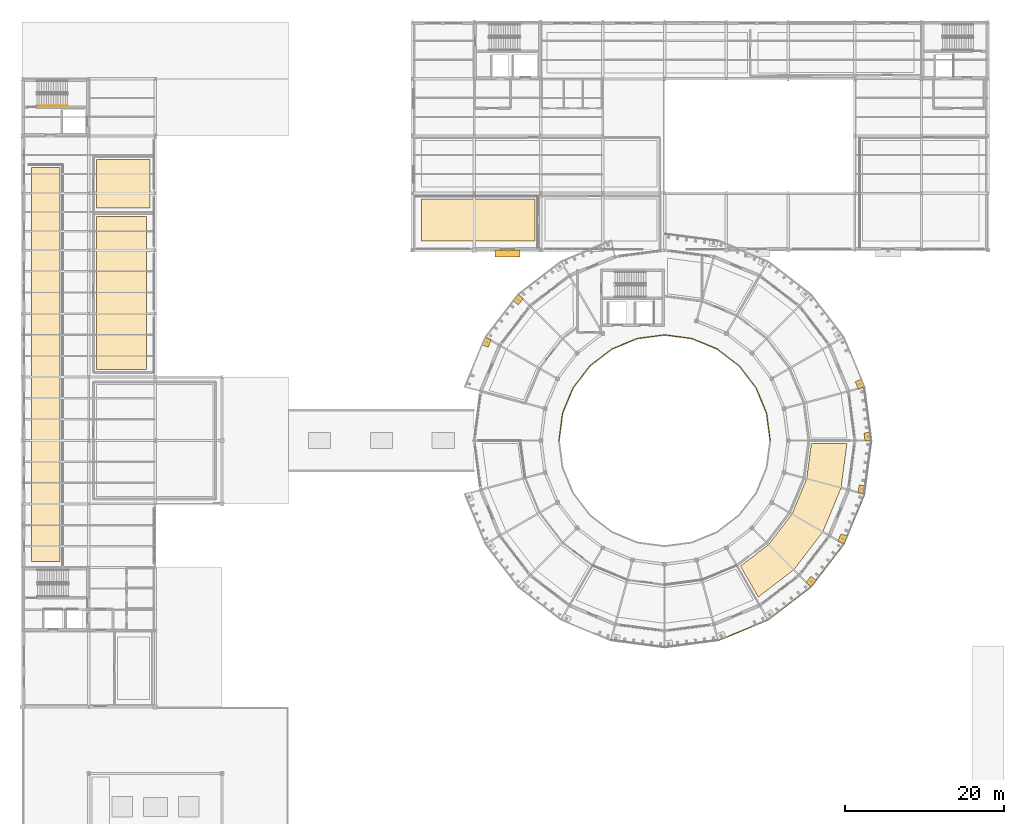
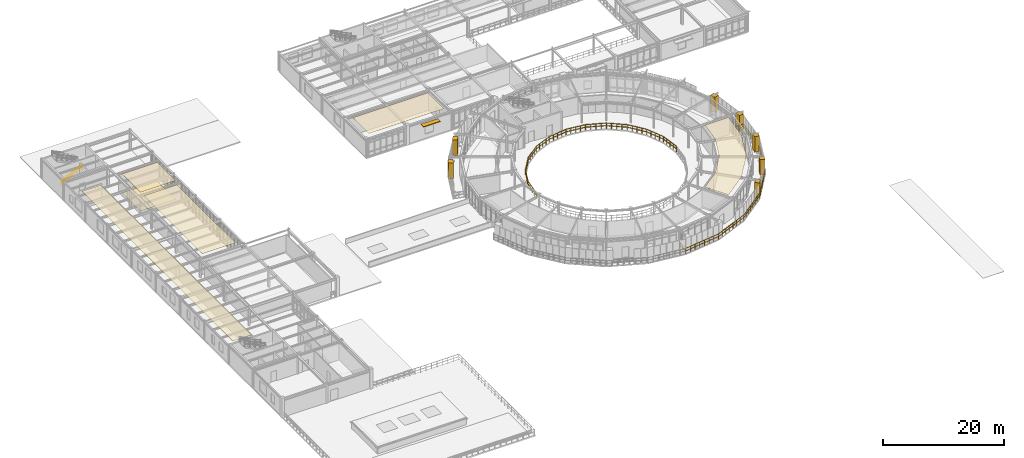
# One storey, part 64 of 70: 8 shading devices, 6 coverings, 3 railings.
"""IFC4 building model written with IfcOpenShell, lengths in metres."""

from ifc_helpers import new_model, si_unit, derived_unit, direction, frame, origin, origin_2d, place, context, subcontext, project, spatial, polyline, rectangle, circle, outline, extrude, material, layer, layer_set, type_object, element, save


model = new_model("IFC4")

# Units and contexts
model_context = context("Model", 3, precision=1e-05, world=origin(), true_north=direction((0.0, 1.0)))
body_context = subcontext(model_context, "Body", "Model", "MODEL_VIEW")
ifc_project = project(units=[si_unit("LENGTHUNIT", "METRE"), si_unit("AREAUNIT", "SQUARE_METRE"), si_unit("VOLUMEUNIT", "CUBIC_METRE"), si_unit("PLANEANGLEUNIT", "RADIAN"), si_unit("MASSUNIT", "GRAM", prefix="KILO"), derived_unit("THERMALTRANSMITTANCEUNIT", [(si_unit("POWERUNIT", "WATT"), 1), (si_unit("AREAUNIT", "SQUARE_METRE"), -1), (si_unit("THERMODYNAMICTEMPERATUREUNIT", "KELVIN"), -1)])], contexts=[model_context])

# Site, building, storey
site_placement = place(None, origin())
site = spatial("IfcSite", under=ifc_project, at=site_placement, CompositionType="ELEMENT")
building_placement = place(site_placement, origin())
building = spatial("IfcBuilding", under=site, at=building_placement, Name="Yasenodar Specialist Clinic", CompositionType="ELEMENT")
storey_placement = place(building_placement, frame((0.0, 0.0, 13.199951171875)))
storey = spatial("IfcBuildingStorey", under=building, at=storey_placement, Name="L03", CompositionType="ELEMENT", Elevation=13.199951171875)

# Coverings
ifc_material_1 = material(Name="Hygienic Acoustic Mineral-Fibre Ceiling")
ifc_layer_1 = layer(ifc_material_1, 0.02490234375)
ifc_layer_set_1 = layer_set([ifc_layer_1], Name="Hygienic Acoustic Mineral-Fibre Ceiling")
covering_type_1 = type_object("IfcCoveringType", Name="COV-CEIL-AC", PredefinedType="CEILING", material=ifc_layer_set_1)
covering_1_placement = place(storey_placement, frame((0.0, 0.0, 3.775146484375)))
element("IfcCovering", 1, at=covering_1_placement, inside=storey, type_object=covering_type_1, Name="L03 Vascular Ultrasound Treatment Suite Acoustic Ceiling", PredefinedType="CEILING", context=body_context, shape_type="SweptSolid", body=[
    extrude(outline(polyline([(97.297119140625, 42.5029296875), (92.820068359375, 39.068115234375), (90.572998046875, 42.9599609375), (94.08203125, 45.653076171875), (94.10595703125, 45.673095703125), (94.126953125, 45.694091796875), (94.14697265625, 45.718017578125), (97.0390625, 49.487060546875), (97.056884765625, 49.511962890625), (97.072021484375, 49.5380859375), (97.0849609375, 49.56591796875), (98.903076171875, 53.9560546875), (98.9140625, 53.98388671875), (98.922119140625, 54.013916015625), (98.927001953125, 54.0439453125), (99.50390625, 58.429931640625), (103.998046875, 58.429931640625), (103.261962890625, 52.8349609375), (100.958984375, 47.277099609375), (97.297119140625, 42.5029296875)])), origin(), (0.0, 0.0, 1.0), 0.02490234375),
])
covering_2_placement = place(storey_placement, frame((0.0, 0.0, 3.775146484375)))
element("IfcCovering", 2, at=covering_2_placement, inside=storey, type_object=covering_type_1, Name="L03 Ophthalmology Examination Suite Acoustic Ceiling", PredefinedType="CEILING", context=body_context, shape_type="SweptSolid", body=[
    extrude(outline(polyline([(4.75, 93.199951171875), (4.75, 43.550048828125), (1.14990234375, 43.550048828125), (1.14990234375, 93.199951171875), (4.75, 93.199951171875)])), origin(), (0.0, 0.0, 1.0), 0.02490234375),
])
covering_3_placement = place(storey_placement, frame((0.0, 0.0, 3.775146484375)))
element("IfcCovering", 3, at=covering_3_placement, inside=storey, type_object=covering_type_1, Name="L03 Plaster and Splint Procedure Room Acoustic Ceiling", PredefinedType="CEILING", context=body_context, shape_type="SweptSolid", body=[
    extrude(outline(polyline([(15.64990234375, 67.75), (9.35009765625, 67.75), (9.35009765625, 87.050048828125), (15.64990234375, 87.050048828125), (15.64990234375, 67.75)])), origin(), (0.0, 0.0, 1.0), 0.02490234375),
])
covering_4_placement = place(storey_placement, frame((0.0, 0.0, 3.775146484375)))
element("IfcCovering", 4, at=covering_4_placement, inside=storey, type_object=covering_type_1, Name="L03 Cast Removal and Orthotics Room Acoustic Ceiling", PredefinedType="CEILING", context=body_context, shape_type="SweptSolid", body=[
    extrude(outline(polyline([(16.10009765625, 94.25), (16.10009765625, 88.14990234375), (9.35009765625, 88.14990234375), (9.35009765625, 94.25), (16.10009765625, 94.25)])), origin(), (0.0, 0.0, 1.0), 0.02490234375),
])
covering_5_placement = place(storey_placement, frame((0.0, 0.0, 3.76513671875)))
element("IfcCovering", 5, at=covering_5_placement, inside=storey, type_object=covering_type_1, Name="L03 Automated Biochemistry Laboratory Acoustic Ceiling", PredefinedType="CEILING", context=body_context, shape_type="SweptSolid", body=[
    extrude(outline(polyline([(64.64990234375, 83.949951171875), (50.35009765625, 83.949951171875), (50.35009765625, 89.25), (64.64990234375, 89.25), (64.64990234375, 83.949951171875)])), origin(), (0.0, 0.0, 1.0), 0.02490234375),
])
ifc_material_2 = material(Name="Seamless Epoxy Terrazzo Clinical Flooring")
ifc_layer_2 = layer(ifc_material_2, 0.02001953125)
ifc_layer_set_2 = layer_set([ifc_layer_2], Name="Seamless Epoxy Terrazzo Clinical Flooring")
covering_type_2 = type_object("IfcCoveringType", Name="COV-FLR-TERR", PredefinedType="FLOORING", material=ifc_layer_set_2)
covering_6_placement = place(storey_placement, origin())
element("IfcCovering", 6, at=covering_6_placement, inside=storey, type_object=covering_type_2, Name="L03 Cast Removal and Orthotics Room Terrazzo Flooring", PredefinedType="FLOORING", context=body_context, shape_type="SweptSolid", body=[
    extrude(outline(polyline([(16.10009765625, 94.25), (16.10009765625, 88.14990234375), (9.35009765625, 88.14990234375), (9.35009765625, 94.25), (16.10009765625, 94.25)])), origin(), (0.0, 0.0, 1.0), 0.02001953125),
])

# Railings
ifc_material_3 = material(Name="Bronze Anodized Aluminium and Larch Balustrade", Category="aluminium")
railing_type_1 = type_object("IfcRailingType", Name="RL-BAL-1120", PredefinedType="BALUSTRADE", material=ifc_material_3)
railing_1_placement = place(storey_placement, frame((81.0, 34.580078125, 0.0)))
element("IfcRailing", 7, at=railing_1_placement, inside=storey, type_object=railing_type_1, Name="L03 Drum V1 Balcony Balustrade 4", PredefinedType="BALUSTRADE", context=body_context, shape_type="SweptSolid", body=[
    extrude(circle(Radius=0.02392578125, at=origin_2d()), frame((0.0, 0.0, 1.09619140625), z_axis=(0.0, -1.0, 0.0), x_axis=(1.0, 0.0, 0.0)), (0.0, 0.0, 1.0), 1.900146484375),
    extrude(circle(Radius=0.02392578125, at=origin_2d()), frame((0.0, 0.0, 0.58251953125), z_axis=(0.0, -1.0, 0.0), x_axis=(1.0, 0.0, 0.0)), (0.0, 0.0, 1.0), 1.900146484375),
    extrude(circle(Radius=0.02392578125, at=origin_2d()), frame((0.0, -1.900146484375, 1.09619140625), z_axis=(0.9914429584, 0.130540645926, 0.0), x_axis=(-0.130540645926, 0.9914429584, 0.0)), (0.0, 0.0, 1.0), 6.81884765625),
    extrude(circle(Radius=0.02392578125, at=origin_2d()), frame((0.0, -1.900146484375, 0.58251953125), z_axis=(0.9914429584, 0.130540645926, 0.0), x_axis=(-0.130540645926, 0.9914429584, 0.0)), (0.0, 0.0, 1.0), 6.81884765625),
    extrude(circle(Radius=0.02392578125, at=origin_2d()), frame((6.760498046875, -1.010009765625, 1.09619140625), z_axis=(0.923878931839, 0.382684882513, 0.0), x_axis=(-0.382684882513, 0.923878931839, 0.0)), (0.0, 0.0, 1.0), 6.818603515625),
    extrude(circle(Radius=0.02392578125, at=origin_2d()), frame((6.760498046875, -1.010009765625, 0.58251953125), z_axis=(0.923878931839, 0.382684882513, 0.0), x_axis=(-0.382684882513, 0.923878931839, 0.0)), (0.0, 0.0, 1.0), 6.818603515625),
    extrude(circle(Radius=0.02392578125, at=origin_2d()), frame((13.06005859375, 1.599365234375, 1.09619140625), z_axis=(0.793347531118, 0.608768999597, 0.0), x_axis=(-0.608768999597, 0.793347531118, 0.0)), (0.0, 0.0, 1.0), 6.818359375),
    extrude(circle(Radius=0.02392578125, at=origin_2d()), frame((13.06005859375, 1.599365234375, 0.58251953125), z_axis=(0.793347531118, 0.608768999597, 0.0), x_axis=(-0.608768999597, 0.793347531118, 0.0)), (0.0, 0.0, 1.0), 6.818359375),
    extrude(circle(Radius=0.02392578125, at=origin_2d()), frame((18.469482421875, 5.750244140625, 1.09619140625), z_axis=(0.608774242529, 0.793343507967, 0.0), x_axis=(-0.793343507967, 0.608774242529, 0.0)), (0.0, 0.0, 1.0), 6.81884765625),
    extrude(circle(Radius=0.02392578125, at=origin_2d()), frame((18.469482421875, 5.750244140625, 0.58251953125), z_axis=(0.608774242529, 0.793343507967, 0.0), x_axis=(-0.793343507967, 0.608774242529, 0.0)), (0.0, 0.0, 1.0), 6.81884765625),
    extrude(circle(Radius=0.02392578125, at=origin_2d()), frame((22.62060546875, 11.159912109375, 1.09619140625), z_axis=(0.382684882513, 0.923878931839, 0.0), x_axis=(-0.923878931839, 0.382684882513, 0.0)), (0.0, 0.0, 1.0), 6.818603515625),
    extrude(circle(Radius=0.02392578125, at=origin_2d()), frame((22.62060546875, 11.159912109375, 0.58251953125), z_axis=(0.382684882513, 0.923878931839, 0.0), x_axis=(-0.923878931839, 0.382684882513, 0.0)), (0.0, 0.0, 1.0), 6.818603515625),
    extrude(circle(Radius=0.02392578125, at=origin_2d()), frame((25.22998046875, 17.45947265625, 1.09619140625), z_axis=(0.130540645926, 0.9914429584, 0.0), x_axis=(-0.9914429584, 0.130540645926, 0.0)), (0.0, 0.0, 1.0), 6.81884765625),
    extrude(circle(Radius=0.02392578125, at=origin_2d()), frame((25.22998046875, 17.45947265625, 0.58251953125), z_axis=(0.130540645926, 0.9914429584, 0.0), x_axis=(-0.9914429584, 0.130540645926, 0.0)), (0.0, 0.0, 1.0), 6.81884765625),
    extrude(circle(Radius=0.02392578125, at=origin_2d()), frame((26.1201171875, 24.219970703125, 1.09619140625), z_axis=(-1.0, 0.0, 0.0), x_axis=(0.0, -1.0, 0.0)), (0.0, 0.0, 1.0), 1.900146484375),
    extrude(circle(Radius=0.02392578125, at=origin_2d()), frame((26.1201171875, 24.219970703125, 0.58251953125), z_axis=(-1.0, 0.0, 0.0), x_axis=(0.0, -1.0, 0.0)), (0.0, 0.0, 1.0), 1.900146484375),
    extrude(circle(Radius=0.02099609375, at=origin_2d()), origin(), (0.0, 0.0, 1.0), 1.072021484375),
    extrude(circle(Radius=0.02099609375, at=origin_2d()), frame((0.0, -0.9501953125, 0.0)), (0.0, 0.0, 1.0), 1.072021484375),
    extrude(circle(Radius=0.02099609375, at=origin_2d()), frame((0.0, -1.900146484375, 0.0)), (0.0, 0.0, 1.0), 1.072021484375),
    extrude(circle(Radius=0.02099609375, at=origin_2d()), frame((0.9658203125, -1.77294921875, 0.0)), (0.0, 0.0, 1.0), 1.072021484375),
    extrude(circle(Radius=0.02099609375, at=origin_2d()), frame((1.931640625, -1.645751953125, 0.0)), (0.0, 0.0, 1.0), 1.072021484375),
    extrude(circle(Radius=0.02099609375, at=origin_2d()), frame((2.8974609375, -1.5185546875, 0.0)), (0.0, 0.0, 1.0), 1.072021484375),
    extrude(circle(Radius=0.02099609375, at=origin_2d()), frame((3.863037109375, -1.3916015625, 0.0)), (0.0, 0.0, 1.0), 1.072021484375),
    extrude(circle(Radius=0.02099609375, at=origin_2d()), frame((4.828857421875, -1.264404296875, 0.0)), (0.0, 0.0, 1.0), 1.072021484375),
    extrude(circle(Radius=0.02099609375, at=origin_2d()), frame((5.794677734375, -1.13720703125, 0.0)), (0.0, 0.0, 1.0), 1.072021484375),
    extrude(circle(Radius=0.02099609375, at=origin_2d()), frame((6.760498046875, -1.010009765625, 0.0)), (0.0, 0.0, 1.0), 1.072021484375),
    extrude(circle(Radius=0.02099609375, at=origin_2d()), frame((7.660400390625, -0.63720703125, 0.0)), (0.0, 0.0, 1.0), 1.072021484375),
    extrude(circle(Radius=0.02099609375, at=origin_2d()), frame((8.560302734375, -0.264404296875, 0.0)), (0.0, 0.0, 1.0), 1.072021484375),
    extrude(circle(Radius=0.02099609375, at=origin_2d()), frame((9.460205078125, 0.1083984375, 0.0)), (0.0, 0.0, 1.0), 1.072021484375),
    extrude(circle(Radius=0.02099609375, at=origin_2d()), frame((10.3603515625, 0.48095703125, 0.0)), (0.0, 0.0, 1.0), 1.072021484375),
    extrude(circle(Radius=0.02099609375, at=origin_2d()), frame((11.26025390625, 0.853759765625, 0.0)), (0.0, 0.0, 1.0), 1.072021484375),
    extrude(circle(Radius=0.02099609375, at=origin_2d()), frame((12.16015625, 1.2265625, 0.0)), (0.0, 0.0, 1.0), 1.072021484375),
    extrude(circle(Radius=0.02099609375, at=origin_2d()), frame((13.06005859375, 1.599365234375, 0.0)), (0.0, 0.0, 1.0), 1.072021484375),
    extrude(circle(Radius=0.02099609375, at=origin_2d()), frame((13.832763671875, 2.1923828125, 0.0)), (0.0, 0.0, 1.0), 1.072021484375),
    extrude(circle(Radius=0.02099609375, at=origin_2d()), frame((14.605712890625, 2.785400390625, 0.0)), (0.0, 0.0, 1.0), 1.072021484375),
    extrude(circle(Radius=0.02099609375, at=origin_2d()), frame((15.37841796875, 3.37841796875, 0.0)), (0.0, 0.0, 1.0), 1.072021484375),
    extrude(circle(Radius=0.02099609375, at=origin_2d()), frame((16.151123046875, 3.97119140625, 0.0)), (0.0, 0.0, 1.0), 1.072021484375),
    extrude(circle(Radius=0.02099609375, at=origin_2d()), frame((16.923828125, 4.564208984375, 0.0)), (0.0, 0.0, 1.0), 1.072021484375),
    extrude(circle(Radius=0.02099609375, at=origin_2d()), frame((17.69677734375, 5.1572265625, 0.0)), (0.0, 0.0, 1.0), 1.072021484375),
    extrude(circle(Radius=0.02099609375, at=origin_2d()), frame((18.469482421875, 5.750244140625, 0.0)), (0.0, 0.0, 1.0), 1.072021484375),
    extrude(circle(Radius=0.02099609375, at=origin_2d()), frame((19.0625, 6.52294921875, 0.0)), (0.0, 0.0, 1.0), 1.072021484375),
    extrude(circle(Radius=0.02099609375, at=origin_2d()), frame((19.655517578125, 7.2958984375, 0.0)), (0.0, 0.0, 1.0), 1.072021484375),
    extrude(circle(Radius=0.02099609375, at=origin_2d()), frame((20.24853515625, 8.068603515625, 0.0)), (0.0, 0.0, 1.0), 1.072021484375),
    extrude(circle(Radius=0.02099609375, at=origin_2d()), frame((20.841552734375, 8.841552734375, 0.0)), (0.0, 0.0, 1.0), 1.072021484375),
    extrude(circle(Radius=0.02099609375, at=origin_2d()), frame((21.4345703125, 9.6142578125, 0.0)), (0.0, 0.0, 1.0), 1.072021484375),
    extrude(circle(Radius=0.02099609375, at=origin_2d()), frame((22.027587890625, 10.38720703125, 0.0)), (0.0, 0.0, 1.0), 1.072021484375),
    extrude(circle(Radius=0.02099609375, at=origin_2d()), frame((22.62060546875, 11.159912109375, 0.0)), (0.0, 0.0, 1.0), 1.072021484375),
    extrude(circle(Radius=0.02099609375, at=origin_2d()), frame((22.993408203125, 12.059814453125, 0.0)), (0.0, 0.0, 1.0), 1.072021484375),
    extrude(circle(Radius=0.02099609375, at=origin_2d()), frame((23.3662109375, 12.959716796875, 0.0)), (0.0, 0.0, 1.0), 1.072021484375),
    extrude(circle(Radius=0.02099609375, at=origin_2d()), frame((23.739013671875, 13.859619140625, 0.0)), (0.0, 0.0, 1.0), 1.072021484375),
    extrude(circle(Radius=0.02099609375, at=origin_2d()), frame((24.111572265625, 14.759765625, 0.0)), (0.0, 0.0, 1.0), 1.072021484375),
    extrude(circle(Radius=0.02099609375, at=origin_2d()), frame((24.484375, 15.65966796875, 0.0)), (0.0, 0.0, 1.0), 1.072021484375),
    extrude(circle(Radius=0.02099609375, at=origin_2d()), frame((24.857177734375, 16.5595703125, 0.0)), (0.0, 0.0, 1.0), 1.072021484375),
    extrude(circle(Radius=0.02099609375, at=origin_2d()), frame((25.22998046875, 17.45947265625, 0.0)), (0.0, 0.0, 1.0), 1.072021484375),
    extrude(circle(Radius=0.02099609375, at=origin_2d()), frame((25.357177734375, 18.42529296875, 0.0)), (0.0, 0.0, 1.0), 1.072021484375),
    extrude(circle(Radius=0.02099609375, at=origin_2d()), frame((25.484375, 19.39111328125, 0.0)), (0.0, 0.0, 1.0), 1.072021484375),
    extrude(circle(Radius=0.02099609375, at=origin_2d()), frame((25.611572265625, 20.35693359375, 0.0)), (0.0, 0.0, 1.0), 1.072021484375),
    extrude(circle(Radius=0.02099609375, at=origin_2d()), frame((25.738525390625, 21.322509765625, 0.0)), (0.0, 0.0, 1.0), 1.072021484375),
    extrude(circle(Radius=0.02099609375, at=origin_2d()), frame((25.86572265625, 22.288330078125, 0.0)), (0.0, 0.0, 1.0), 1.072021484375),
    extrude(circle(Radius=0.02099609375, at=origin_2d()), frame((25.992919921875, 23.254150390625, 0.0)), (0.0, 0.0, 1.0), 1.072021484375),
    extrude(circle(Radius=0.02099609375, at=origin_2d()), frame((26.1201171875, 24.219970703125, 0.0)), (0.0, 0.0, 1.0), 1.072021484375),
    extrude(circle(Radius=0.02099609375, at=origin_2d()), frame((25.169921875, 24.219970703125, 0.0)), (0.0, 0.0, 1.0), 1.072021484375),
    extrude(circle(Radius=0.02099609375, at=origin_2d()), frame((24.219970703125, 24.219970703125, 0.0)), (0.0, 0.0, 1.0), 1.072021484375),
])
ifc_material_4 = material(Name="Steel S355 Painted Stair Guardrail", Category="steel")
railing_type_2 = type_object("IfcRailingType", Name="RL-ST-GRD", PredefinedType="GUARDRAIL", material=ifc_material_4)
railing_2_placement = place(storey_placement, frame((94.320068359375, 58.800048828125, 0.0)))
element("IfcRailing", 8, at=railing_2_placement, inside=storey, type_object=railing_type_2, Name="L03 Drum V1 Central Atrium North Guardrail", PredefinedType="GUARDRAIL", context=body_context, shape_type="SweptSolid", body=[
    extrude(circle(Radius=0.02392578125, at=origin_2d()), frame((0.0, 0.0, 1.09619140625), z_axis=(-0.130521711904, 0.991445451208, 0.0), x_axis=(-0.991445451208, -0.130521711904, 0.0)), (0.0, 0.0, 1.0), 3.477294921875),
    extrude(circle(Radius=0.02392578125, at=origin_2d()), frame((0.0, 0.0, 0.58251953125), z_axis=(-0.130521711904, 0.991445451208, 0.0), x_axis=(-0.991445451208, -0.130521711904, 0.0)), (0.0, 0.0, 1.0), 3.477294921875),
    extrude(circle(Radius=0.02392578125, at=origin_2d()), frame((-0.453857421875, 3.447509765625, 1.09619140625), z_axis=(-0.3827300545, 0.923860219613, 0.0), x_axis=(-0.923860219613, -0.3827300545, 0.0)), (0.0, 0.0, 1.0), 3.47705078125),
    extrude(circle(Radius=0.02392578125, at=origin_2d()), frame((-0.453857421875, 3.447509765625, 0.58251953125), z_axis=(-0.3827300545, 0.923860219613, 0.0), x_axis=(-0.923860219613, -0.3827300545, 0.0)), (0.0, 0.0, 1.0), 3.47705078125),
    extrude(circle(Radius=0.02392578125, at=origin_2d()), frame((-1.78466796875, 6.659912109375, 1.09619140625), z_axis=(-0.608726297953, 0.793380296063, 0.0), x_axis=(-0.793380296063, -0.608726297953, 0.0)), (0.0, 0.0, 1.0), 3.477294921875),
    extrude(circle(Radius=0.02392578125, at=origin_2d()), frame((-1.78466796875, 6.659912109375, 0.58251953125), z_axis=(-0.608726297953, 0.793380296063, 0.0), x_axis=(-0.793380296063, -0.608726297953, 0.0)), (0.0, 0.0, 1.0), 3.477294921875),
    extrude(circle(Radius=0.02392578125, at=origin_2d()), frame((-3.9013671875, 9.418701171875, 1.09619140625), z_axis=(-0.793380296063, 0.608726297953, 0.0), x_axis=(-0.608726297953, -0.793380296063, 0.0)), (0.0, 0.0, 1.0), 3.477294921875),
    extrude(circle(Radius=0.02392578125, at=origin_2d()), frame((-3.9013671875, 9.418701171875, 0.58251953125), z_axis=(-0.793380296063, 0.608726297953, 0.0), x_axis=(-0.608726297953, -0.793380296063, 0.0)), (0.0, 0.0, 1.0), 3.477294921875),
    extrude(circle(Radius=0.02392578125, at=origin_2d()), frame((-6.66015625, 11.535400390625, 1.09619140625), z_axis=(-0.92388504482, 0.382670124203, 0.0), x_axis=(-0.382670124203, -0.92388504482, 0.0)), (0.0, 0.0, 1.0), 3.47705078125),
    extrude(circle(Radius=0.02392578125, at=origin_2d()), frame((-6.66015625, 11.535400390625, 0.58251953125), z_axis=(-0.92388504482, 0.382670124203, 0.0), x_axis=(-0.382670124203, -0.92388504482, 0.0)), (0.0, 0.0, 1.0), 3.47705078125),
    extrude(circle(Radius=0.02392578125, at=origin_2d()), frame((-9.87255859375, 12.865966796875, 1.09619140625), z_axis=(-0.991436363261, 0.130590725562, 0.0), x_axis=(-0.130590725562, -0.991436363261, 0.0)), (0.0, 0.0, 1.0), 3.477294921875),
    extrude(circle(Radius=0.02392578125, at=origin_2d()), frame((-9.87255859375, 12.865966796875, 0.58251953125), z_axis=(-0.991436363261, 0.130590725562, 0.0), x_axis=(-0.130590725562, -0.991436363261, 0.0)), (0.0, 0.0, 1.0), 3.477294921875),
    extrude(circle(Radius=0.02392578125, at=origin_2d()), frame((-13.320068359375, 13.320068359375, 1.09619140625), z_axis=(-0.991436363261, -0.130590725562, 0.0), x_axis=(0.130590725562, -0.991436363261, 0.0)), (0.0, 0.0, 1.0), 3.477294921875),
    extrude(circle(Radius=0.02392578125, at=origin_2d()), frame((-13.320068359375, 13.320068359375, 0.58251953125), z_axis=(-0.991436363261, -0.130590725562, 0.0), x_axis=(0.130590725562, -0.991436363261, 0.0)), (0.0, 0.0, 1.0), 3.477294921875),
    extrude(circle(Radius=0.02392578125, at=origin_2d()), frame((-16.767578125, 12.865966796875, 1.09619140625), z_axis=(-0.92388504482, -0.382670124203, 0.0), x_axis=(0.382670124203, -0.92388504482, 0.0)), (0.0, 0.0, 1.0), 3.47705078125),
    extrude(circle(Radius=0.02392578125, at=origin_2d()), frame((-16.767578125, 12.865966796875, 0.58251953125), z_axis=(-0.92388504482, -0.382670124203, 0.0), x_axis=(0.382670124203, -0.92388504482, 0.0)), (0.0, 0.0, 1.0), 3.47705078125),
    extrude(circle(Radius=0.02392578125, at=origin_2d()), frame((-19.97998046875, 11.535400390625, 1.09619140625), z_axis=(-0.793380296063, -0.608726297953, 0.0), x_axis=(0.608726297953, -0.793380296063, 0.0)), (0.0, 0.0, 1.0), 3.477294921875),
    extrude(circle(Radius=0.02392578125, at=origin_2d()), frame((-19.97998046875, 11.535400390625, 0.58251953125), z_axis=(-0.793380296063, -0.608726297953, 0.0), x_axis=(0.608726297953, -0.793380296063, 0.0)), (0.0, 0.0, 1.0), 3.477294921875),
    extrude(circle(Radius=0.02392578125, at=origin_2d()), frame((-22.73876953125, 9.418701171875, 1.09619140625), z_axis=(-0.608726297953, -0.793380296063, 0.0), x_axis=(0.793380296063, -0.608726297953, 0.0)), (0.0, 0.0, 1.0), 3.477294921875),
    extrude(circle(Radius=0.02392578125, at=origin_2d()), frame((-22.73876953125, 9.418701171875, 0.58251953125), z_axis=(-0.608726297953, -0.793380296063, 0.0), x_axis=(0.793380296063, -0.608726297953, 0.0)), (0.0, 0.0, 1.0), 3.477294921875),
    extrude(circle(Radius=0.02392578125, at=origin_2d()), frame((-24.85546875, 6.659912109375, 1.09619140625), z_axis=(-0.3827300545, -0.923860219613, 0.0), x_axis=(0.923860219613, -0.3827300545, 0.0)), (0.0, 0.0, 1.0), 3.47705078125),
    extrude(circle(Radius=0.02392578125, at=origin_2d()), frame((-24.85546875, 6.659912109375, 0.58251953125), z_axis=(-0.3827300545, -0.923860219613, 0.0), x_axis=(0.923860219613, -0.3827300545, 0.0)), (0.0, 0.0, 1.0), 3.47705078125),
    extrude(circle(Radius=0.02392578125, at=origin_2d()), frame((-26.186279296875, 3.447509765625, 1.09619140625), z_axis=(-0.130521711904, -0.991445451208, 0.0), x_axis=(0.991445451208, -0.130521711904, 0.0)), (0.0, 0.0, 1.0), 3.477294921875),
    extrude(circle(Radius=0.02392578125, at=origin_2d()), frame((-26.186279296875, 3.447509765625, 0.58251953125), z_axis=(-0.130521711904, -0.991445451208, 0.0), x_axis=(0.991445451208, -0.130521711904, 0.0)), (0.0, 0.0, 1.0), 3.477294921875),
    extrude(circle(Radius=0.02099609375, at=origin_2d()), origin(), (0.0, 0.0, 1.0), 1.072021484375),
    extrude(circle(Radius=0.02099609375, at=origin_2d()), frame((-0.113525390625, 0.86181640625, 0.0)), (0.0, 0.0, 1.0), 1.072021484375),
    extrude(circle(Radius=0.02099609375, at=origin_2d()), frame((-0.22705078125, 1.7236328125, 0.0)), (0.0, 0.0, 1.0), 1.072021484375),
    extrude(circle(Radius=0.02099609375, at=origin_2d()), frame((-0.34033203125, 2.585693359375, 0.0)), (0.0, 0.0, 1.0), 1.072021484375),
    extrude(circle(Radius=0.02099609375, at=origin_2d()), frame((-0.453857421875, 3.447509765625, 0.0)), (0.0, 0.0, 1.0), 1.072021484375),
    extrude(circle(Radius=0.02099609375, at=origin_2d()), frame((-0.78662109375, 4.25048828125, 0.0)), (0.0, 0.0, 1.0), 1.072021484375),
    extrude(circle(Radius=0.02099609375, at=origin_2d()), frame((-1.119140625, 5.0537109375, 0.0)), (0.0, 0.0, 1.0), 1.072021484375),
    extrude(circle(Radius=0.02099609375, at=origin_2d()), frame((-1.451904296875, 5.85693359375, 0.0)), (0.0, 0.0, 1.0), 1.072021484375),
    extrude(circle(Radius=0.02099609375, at=origin_2d()), frame((-1.78466796875, 6.659912109375, 0.0)), (0.0, 0.0, 1.0), 1.072021484375),
    extrude(circle(Radius=0.02099609375, at=origin_2d()), frame((-2.31396484375, 7.349609375, 0.0)), (0.0, 0.0, 1.0), 1.072021484375),
    extrude(circle(Radius=0.02099609375, at=origin_2d()), frame((-2.843017578125, 8.039306640625, 0.0)), (0.0, 0.0, 1.0), 1.072021484375),
    extrude(circle(Radius=0.02099609375, at=origin_2d()), frame((-3.3720703125, 8.72900390625, 0.0)), (0.0, 0.0, 1.0), 1.072021484375),
    extrude(circle(Radius=0.02099609375, at=origin_2d()), frame((-3.9013671875, 9.418701171875, 0.0)), (0.0, 0.0, 1.0), 1.072021484375),
    extrude(circle(Radius=0.02099609375, at=origin_2d()), frame((-4.591064453125, 9.94775390625, 0.0)), (0.0, 0.0, 1.0), 1.072021484375),
    extrude(circle(Radius=0.02099609375, at=origin_2d()), frame((-5.28076171875, 10.47705078125, 0.0)), (0.0, 0.0, 1.0), 1.072021484375),
    extrude(circle(Radius=0.02099609375, at=origin_2d()), frame((-5.970458984375, 11.00634765625, 0.0)), (0.0, 0.0, 1.0), 1.072021484375),
    extrude(circle(Radius=0.02099609375, at=origin_2d()), frame((-6.66015625, 11.535400390625, 0.0)), (0.0, 0.0, 1.0), 1.072021484375),
    extrude(circle(Radius=0.02099609375, at=origin_2d()), frame((-7.46337890625, 11.8681640625, 0.0)), (0.0, 0.0, 1.0), 1.072021484375),
    extrude(circle(Radius=0.02099609375, at=origin_2d()), frame((-8.266357421875, 12.20068359375, 0.0)), (0.0, 0.0, 1.0), 1.072021484375),
    extrude(circle(Radius=0.02099609375, at=origin_2d()), frame((-9.0693359375, 12.533203125, 0.0)), (0.0, 0.0, 1.0), 1.072021484375),
    extrude(circle(Radius=0.02099609375, at=origin_2d()), frame((-9.87255859375, 12.865966796875, 0.0)), (0.0, 0.0, 1.0), 1.072021484375),
    extrude(circle(Radius=0.02099609375, at=origin_2d()), frame((-10.734375, 12.9794921875, 0.0)), (0.0, 0.0, 1.0), 1.072021484375),
    extrude(circle(Radius=0.02099609375, at=origin_2d()), frame((-11.59619140625, 13.093017578125, 0.0)), (0.0, 0.0, 1.0), 1.072021484375),
    extrude(circle(Radius=0.02099609375, at=origin_2d()), frame((-12.458251953125, 13.20654296875, 0.0)), (0.0, 0.0, 1.0), 1.072021484375),
    extrude(circle(Radius=0.02099609375, at=origin_2d()), frame((-13.320068359375, 13.320068359375, 0.0)), (0.0, 0.0, 1.0), 1.072021484375),
    extrude(circle(Radius=0.02099609375, at=origin_2d()), frame((-14.181884765625, 13.20654296875, 0.0)), (0.0, 0.0, 1.0), 1.072021484375),
    extrude(circle(Radius=0.02099609375, at=origin_2d()), frame((-15.0439453125, 13.093017578125, 0.0)), (0.0, 0.0, 1.0), 1.072021484375),
    extrude(circle(Radius=0.02099609375, at=origin_2d()), frame((-15.90576171875, 12.9794921875, 0.0)), (0.0, 0.0, 1.0), 1.072021484375),
    extrude(circle(Radius=0.02099609375, at=origin_2d()), frame((-16.767578125, 12.865966796875, 0.0)), (0.0, 0.0, 1.0), 1.072021484375),
    extrude(circle(Radius=0.02099609375, at=origin_2d()), frame((-17.57080078125, 12.533203125, 0.0)), (0.0, 0.0, 1.0), 1.072021484375),
    extrude(circle(Radius=0.02099609375, at=origin_2d()), frame((-18.373779296875, 12.20068359375, 0.0)), (0.0, 0.0, 1.0), 1.072021484375),
    extrude(circle(Radius=0.02099609375, at=origin_2d()), frame((-19.1767578125, 11.8681640625, 0.0)), (0.0, 0.0, 1.0), 1.072021484375),
    extrude(circle(Radius=0.02099609375, at=origin_2d()), frame((-19.97998046875, 11.535400390625, 0.0)), (0.0, 0.0, 1.0), 1.072021484375),
    extrude(circle(Radius=0.02099609375, at=origin_2d()), frame((-20.669677734375, 11.00634765625, 0.0)), (0.0, 0.0, 1.0), 1.072021484375),
    extrude(circle(Radius=0.02099609375, at=origin_2d()), frame((-21.359375, 10.47705078125, 0.0)), (0.0, 0.0, 1.0), 1.072021484375),
    extrude(circle(Radius=0.02099609375, at=origin_2d()), frame((-22.049072265625, 9.94775390625, 0.0)), (0.0, 0.0, 1.0), 1.072021484375),
    extrude(circle(Radius=0.02099609375, at=origin_2d()), frame((-22.73876953125, 9.418701171875, 0.0)), (0.0, 0.0, 1.0), 1.072021484375),
    extrude(circle(Radius=0.02099609375, at=origin_2d()), frame((-23.26806640625, 8.72900390625, 0.0)), (0.0, 0.0, 1.0), 1.072021484375),
    extrude(circle(Radius=0.02099609375, at=origin_2d()), frame((-23.797119140625, 8.039306640625, 0.0)), (0.0, 0.0, 1.0), 1.072021484375),
    extrude(circle(Radius=0.02099609375, at=origin_2d()), frame((-24.326171875, 7.349609375, 0.0)), (0.0, 0.0, 1.0), 1.072021484375),
    extrude(circle(Radius=0.02099609375, at=origin_2d()), frame((-24.85546875, 6.659912109375, 0.0)), (0.0, 0.0, 1.0), 1.072021484375),
    extrude(circle(Radius=0.02099609375, at=origin_2d()), frame((-25.188232421875, 5.85693359375, 0.0)), (0.0, 0.0, 1.0), 1.072021484375),
    extrude(circle(Radius=0.02099609375, at=origin_2d()), frame((-25.52099609375, 5.0537109375, 0.0)), (0.0, 0.0, 1.0), 1.072021484375),
    extrude(circle(Radius=0.02099609375, at=origin_2d()), frame((-25.853515625, 4.25048828125, 0.0)), (0.0, 0.0, 1.0), 1.072021484375),
    extrude(circle(Radius=0.02099609375, at=origin_2d()), frame((-26.186279296875, 3.447509765625, 0.0)), (0.0, 0.0, 1.0), 1.072021484375),
    extrude(circle(Radius=0.02099609375, at=origin_2d()), frame((-26.2998046875, 2.585693359375, 0.0)), (0.0, 0.0, 1.0), 1.072021484375),
    extrude(circle(Radius=0.02099609375, at=origin_2d()), frame((-26.4130859375, 1.7236328125, 0.0)), (0.0, 0.0, 1.0), 1.072021484375),
    extrude(circle(Radius=0.02099609375, at=origin_2d()), frame((-26.526611328125, 0.86181640625, 0.0)), (0.0, 0.0, 1.0), 1.072021484375),
    extrude(circle(Radius=0.02099609375, at=origin_2d()), frame((-26.64013671875, 0.0, 0.0)), (0.0, 0.0, 1.0), 1.072021484375),
])
ifc_material_5 = material(Name="Brushed Stainless Steel Handrail", Category="steel")
railing_type_3 = type_object("IfcRailingType", Name="RL-ST-HND", PredefinedType="HANDRAIL", material=ifc_material_5)
railing_3_placement = place(storey_placement, frame((1.840087890625, 101.010009765625, 0.144775390625)))
element("IfcRailing", 9, at=railing_3_placement, inside=storey, type_object=railing_type_3, Name="L03 ST-02 stair handrail 1", PredefinedType="HANDRAIL", context=body_context, shape_type="SweptSolid", body=[
    extrude(circle(Radius=0.02392578125, at=origin_2d()), frame((0.0, 0.0, 0.8759765625), z_axis=(0.900763166376, 0.0, 0.434310623978), x_axis=(0.0, 1.0, 0.0)), (0.0, 0.0, 1.0), 4.32958984375),
    extrude(circle(Radius=0.02392578125, at=origin_2d()), frame((0.0, 0.0, 0.468017578125), z_axis=(0.900763166376, 0.0, 0.434310623978), x_axis=(0.0, 1.0, 0.0)), (0.0, 0.0, 1.0), 4.32958984375),
    extrude(circle(Radius=0.02099609375, at=origin_2d()), origin(), (0.0, 0.0, 1.0), 0.851806640625),
    extrude(circle(Radius=0.02099609375, at=origin_2d()), frame((0.97509765625, 0.0, 0.47021484375)), (0.0, 0.0, 1.0), 0.851806640625),
    extrude(circle(Radius=0.02099609375, at=origin_2d()), frame((1.949951171875, 0.0, 0.940185546875)), (0.0, 0.0, 1.0), 0.851806640625),
    extrude(circle(Radius=0.02099609375, at=origin_2d()), frame((2.9248046875, 0.0, 1.41015625)), (0.0, 0.0, 1.0), 0.851806640625),
    extrude(circle(Radius=0.02099609375, at=origin_2d()), frame((3.89990234375, 0.0, 1.88037109375)), (0.0, 0.0, 1.0), 0.851806640625),
])

# Shading devices
ifc_material_6 = material(Name="Bronze Anodized Aluminium Chhajja Sunshade", Category="aluminium")
shading_device_type_1 = type_object("IfcShadingDeviceType", Name="SHD-CHHAJJA-850", PredefinedType="JALOUSIE", material=ifc_material_6)
shading_device_placement = place(storey_placement, frame((61.199951171875, 82.3798828125, 2.998046875), z_axis=(0.0, 0.0, 1.0), x_axis=(-1.0, 0.0, 0.0)))
element("IfcShadingDevice", 10, at=shading_device_placement, inside=storey, type_object=shading_device_type_1, Name="L03 Chhajja Solar Overhang 457", PredefinedType="JALOUSIE", context=body_context, shape_type="SweptSolid", body=[
    extrude(rectangle(XDim=3.199951171875, YDim=0.85009765625, at=origin_2d()), origin(), (0.0, 0.0, 1.0), 0.139892578125),
])
ifc_material_7 = material(Name="Thermally Modified Larch and Bronze Girih Jali Shutter")
shading_device_type_2 = type_object("IfcShadingDeviceType", Name="SHD-JALI-850", PredefinedType="SHUTTER", material=ifc_material_7)
for number, where, z_axis, x_axis, name in (
    (11, (106.6298828125, 59.2998046875, -0.0048828125), (0.0, 0.0, 1.0), (-0.130519185854, 0.991445783754, 0.0), "L03 Mughal Girih Jali Sliding Shutter Frame 0217"),
    (12, (105.627197265625, 65.916259765625, -0.0048828125), (0.0, 0.0, 1.0), (-0.382686667195, 0.923878192594, 0.0), "L03 Mughal Girih Jali Sliding Shutter Frame 0223"),
    (13, (62.5234375, 76.569580078125, -0.0048828125), (0.0, 0.0, 1.0), (-0.608764217148, -0.793351200869, 0.0), "L03 Mughal Girih Jali Sliding Shutter Frame 0262"),
    (14, (58.553955078125, 71.18212890625, -0.0048828125), (0.0, 0.0, 1.0), (-0.382686667195, -0.923878192594, 0.0), "L03 Mughal Girih Jali Sliding Shutter Frame 0268"),
    (15, (99.4765625, 41.030517578125, -0.0048828125), (0.0, 0.0, 1.0), (0.608764217148, 0.793351200869, 0.0), "L03 Mughal Girih Jali Sliding Shutter Frame 0313"),
    (16, (103.446044921875, 46.41796875, -0.0048828125), (0.0, 0.0, 1.0), (0.382686667195, 0.923878192594, 0.0), "L03 Mughal Girih Jali Sliding Shutter Frame 0319"),
    (17, (105.885986328125, 52.6494140625, -0.0048828125), (0.0, 0.0, 1.0), (0.130519185854, 0.991445783754, 0.0), "L03 Mughal Girih Jali Sliding Shutter Frame 0325"),
):
    element("IfcShadingDevice", number, at=place(storey_placement, frame(where, z_axis=z_axis, x_axis=x_axis)), inside=storey, type_object=shading_device_type_2, Name=name, PredefinedType="SHUTTER", context=body_context, shape_type="SweptSolid", body=[
        extrude(rectangle(XDim=1.02001953125, YDim=0.85009765625, at=origin_2d()), origin(), (0.0, 0.0, 1.0), 3.10009765625),
    ])

save(model, "model.ifc")
